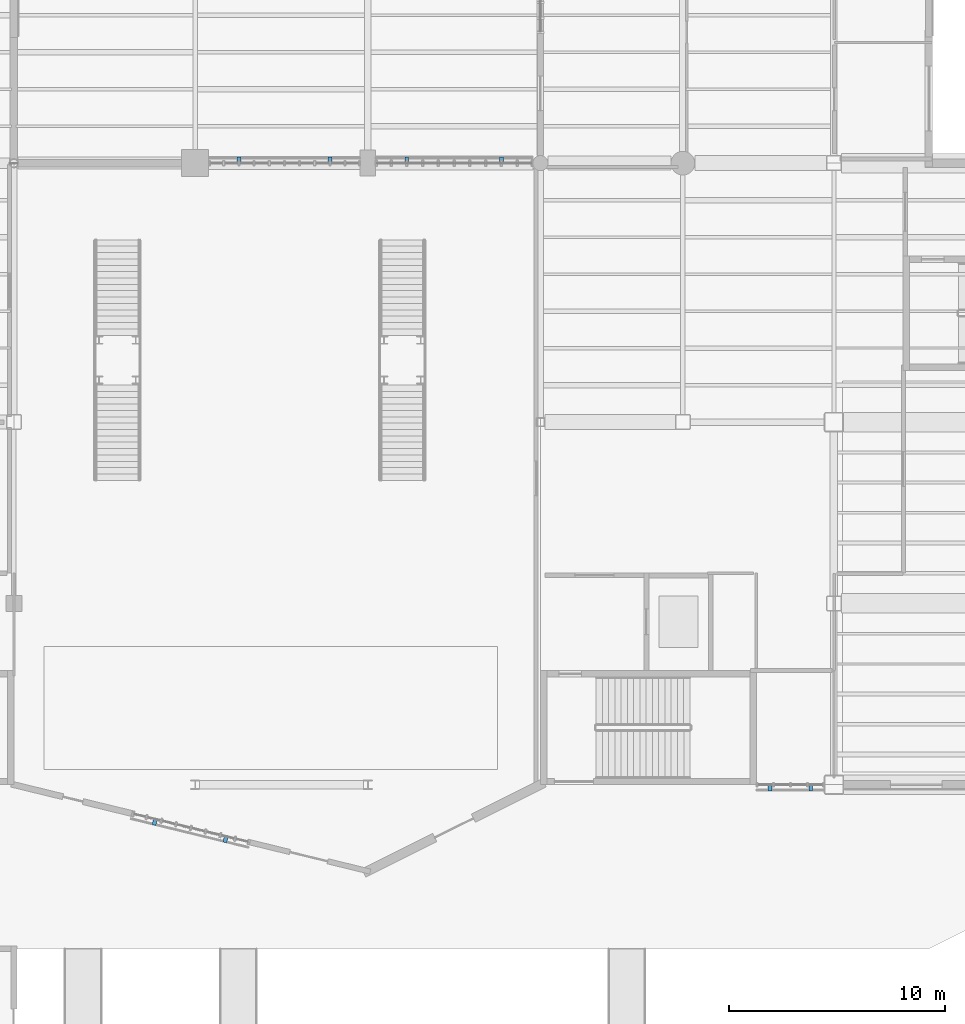
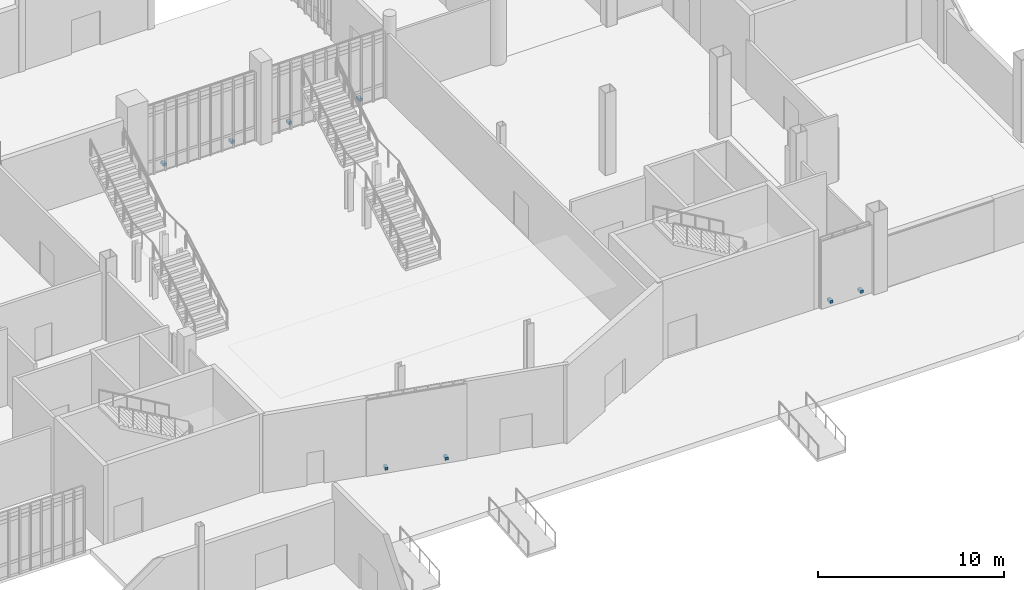
# One storey, part 96 of 111: 8 discrete accessories.
"""IFC4 building model written with IfcOpenShell, lengths in metres."""

from ifc_helpers import new_model, si_unit, direction, frame, origin, origin_2d, place, context, subcontext, project, spatial, rectangle, extrude, material, layer, layer_set, type_object, element, save


model = new_model("IFC4")

# Units and contexts
model_context = context("Model", 3, precision=1e-05, world=origin(), true_north=direction((0.0, 1.0)))
body_context = subcontext(model_context, "Body", "Model", "MODEL_VIEW")
ifc_project = project(units=[si_unit("LENGTHUNIT", "METRE"), si_unit("AREAUNIT", "SQUARE_METRE"), si_unit("VOLUMEUNIT", "CUBIC_METRE"), si_unit("PLANEANGLEUNIT", "RADIAN"), si_unit("MASSUNIT", "GRAM", prefix="KILO")], contexts=[model_context])

# Site, building, storey
site_placement = place(None, origin())
site = spatial("IfcSite", under=ifc_project, at=site_placement, CompositionType="ELEMENT")
building_placement = place(site_placement, origin())
building = spatial("IfcBuilding", under=site, at=building_placement, Name="Larkvane Passage Sports Hall", CompositionType="ELEMENT")
storey_placement = place(building_placement, origin())
storey = spatial("IfcBuildingStorey", under=building, at=storey_placement, Name="L00", CompositionType="ELEMENT", Elevation=0.0)

# Discrete accessories
ifc_material = material(Name="Steel S355JR", Category="steel")
ifc_layer = layer(ifc_material, 0.179931640625)
ifc_layer_set = layer_set([ifc_layer], Name="Steel S355JR")
discrete_accessory_type = type_object("IfcDiscreteAccessoryType", Name="ACC-BRACKET-STL", PredefinedType="BRACKET", material=ifc_layer_set)
for number, where, z_axis, x_axis, name in (
    (1, (104.027587890625, 51.719970703125, 0.26025390625), (0.0, 0.0, 1.0), (1.0, 0.0, 0.0), "Veil outrigger bracket L00-010-1"),
    (2, (108.247314453125, 51.719970703125, 0.26025390625), (0.0, 0.0, 1.0), (1.0, 0.0, 0.0), "Veil outrigger bracket L00-010-2"),
    (3, (111.8076171875, 51.719970703125, 0.26025390625), (0.0, 0.0, 1.0), (1.0, 0.0, 0.0), "Veil outrigger bracket L00-011-1"),
    (4, (116.1923828125, 51.719970703125, 0.26025390625), (0.0, 0.0, 1.0), (1.0, 0.0, 0.0), "Veil outrigger bracket L00-011-2"),
    (5, (130.525146484375, 22.679931640625, 0.26025390625), (0.0, 0.0, 1.0), (-1.0, 0.0, 0.0), "Veil outrigger bracket L00-016-1"),
    (6, (128.638916015625, 22.679931640625, 0.26025390625), (0.0, 0.0, 1.0), (-1.0, 0.0, 0.0), "Veil outrigger bracket L00-016-2"),
    (7, (103.41162109375, 20.283447265625, 0.26025390625), (0.0, 0.0, 1.0), (-0.971520338783, 0.23695618019, 0.0), "Veil outrigger bracket L00-017-1"),
    (8, (100.131591796875, 21.08349609375, 0.26025390625), (0.0, 0.0, 1.0), (-0.971520338783, 0.23695618019, 0.0), "Veil outrigger bracket L00-017-2"),
):
    element("IfcDiscreteAccessory", number, at=place(storey_placement, frame(where, z_axis=z_axis, x_axis=x_axis)), inside=storey, type_object=discrete_accessory_type, Name=name, PredefinedType="BRACKET", context=body_context, shape_type="SweptSolid", body=[
        extrude(rectangle(XDim=0.179931640625, YDim=0.320068359375, at=origin_2d()), origin(), (0.0, 0.0, 1.0), 0.179931640625),
    ])

save(model, "model.ifc")
